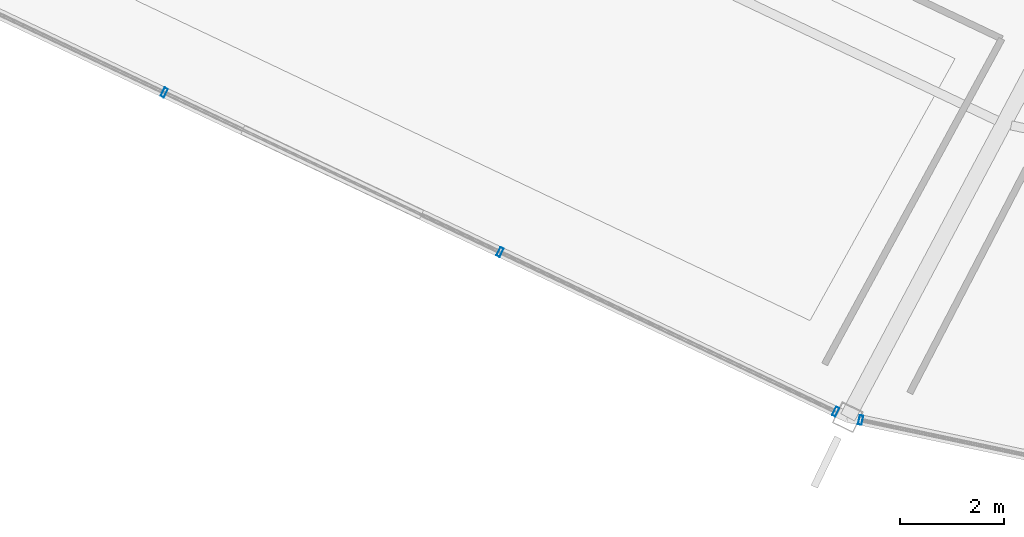
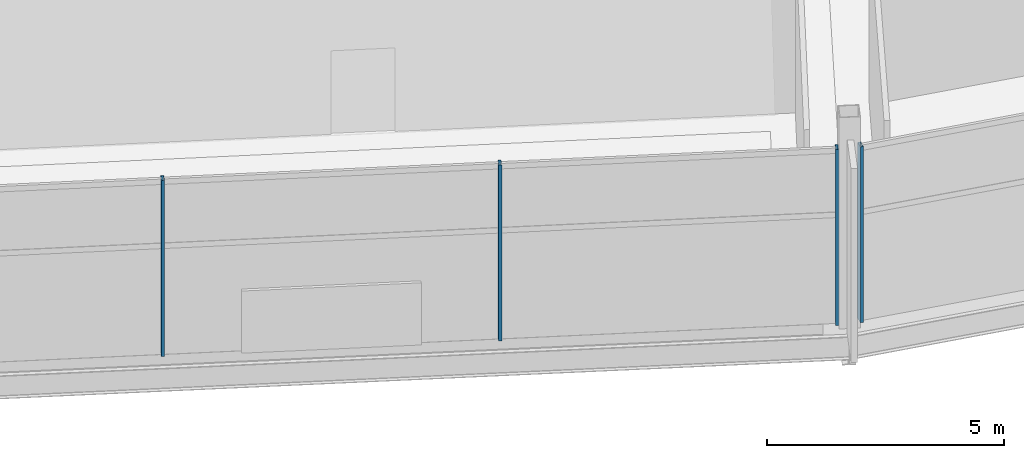
# One storey, part 16 of 186: 4 members, 2 elements without a shape of their own.
"""IFC4 building model written with IfcOpenShell, lengths in metres."""

from ifc_helpers import new_model, si_unit, direction, frame, origin, origin_2d, place, context, subcontext, project, spatial, hollow_rectangle, extrude, material, layer, layer_set, material_profile, profile_set, type_object, element, aggregate, save


model = new_model("IFC4")

# Units and contexts
model_context = context("Model", 3, precision=1e-05, world=origin(), true_north=direction((0.0, 1.0)))
body_context = subcontext(model_context, "Body", "Model", "MODEL_VIEW")
ifc_project = project(units=[si_unit("LENGTHUNIT", "METRE"), si_unit("AREAUNIT", "SQUARE_METRE"), si_unit("VOLUMEUNIT", "CUBIC_METRE"), si_unit("PLANEANGLEUNIT", "RADIAN"), si_unit("MASSUNIT", "GRAM", prefix="KILO")], contexts=[model_context])

# Site, building, storey
site_placement = place(None, origin())
site = spatial("IfcSite", under=ifc_project, at=site_placement, CompositionType="ELEMENT")
building_placement = place(site_placement, origin())
building = spatial("IfcBuilding", under=site, at=building_placement, Name="Kazemori Nagisa Stadium", CompositionType="ELEMENT")
storey_placement = place(building_placement, frame((0.0, 0.0, 20.39990234375)))
storey = spatial("IfcBuildingStorey", under=building, at=storey_placement, Name="L04", CompositionType="ELEMENT", Elevation=20.39990234375)

# Curtain wall, members
ifc_material_1 = material(Name="Anodised aluminium 6063-T5", Category="aluminium")
ifc_layer = layer(ifc_material_1, 0.179931640625, Name="Anodised aluminium 6063-T5", Category="aluminium")
ifc_layer_set = layer_set([ifc_layer], Name="Anodised aluminium 6063-T5")
curtain_wall_type = type_object("IfcCurtainWallType", Name="CW_L04R3_107", PredefinedType="USERDEFINED", material=ifc_layer_set)
curtain_wall_1_placement = place(storey_placement, origin())
curtain_wall_1 = element("IfcCurtainWall", 1, at=curtain_wall_1_placement, inside=storey, type_object=curtain_wall_type, Name="Unitised curtain wall CW-L04R3-107 L04", ObjectType="UNITISED CURTAIN WALL", PredefinedType="USERDEFINED")
ifc_material_2 = material(Name="Aluminium 6063-T5 anodised", Category="aluminium")
ifc_material_profile = material_profile(ifc_material_2, hollow_rectangle(XDim=0.070068359375, YDim=0.179931640625, WallThickness=0.00390625, at=origin_2d()), Name="ALU-MULL-70x180x4")
ifc_profile_set = profile_set([ifc_material_profile], Name="Aluminium 6063-T5 anodised")
member_type = type_object("IfcMemberType", Name="Mullion_M01", PredefinedType="MULLION", material=ifc_profile_set)
member_1_placement = place(storey_placement, frame((67.07666015625, 27.76953125, 0.0), z_axis=(0.0, 0.0, 1.0), x_axis=(0.903215892654, -0.429186499388, 0.0)))
member_1 = element("IfcMember", 2, at=member_1_placement, type_object=member_type, Name="Curtain wall mullion CW-L04R3-107-M2", PredefinedType="MULLION", context=body_context, shape_type="SweptSolid", body=[
    extrude(hollow_rectangle(XDim=0.070068359375, YDim=0.179931640625, WallThickness=0.00390625, at=origin_2d()), origin(), (0.0, 0.0, 1.0), 4.530029296875),
])
member_2_placement = place(storey_placement, frame((73.520751953125, 24.707275390625, 0.0), z_axis=(0.0, 0.0, 1.0), x_axis=(0.903215892654, -0.429186499388, 0.0)))
member_2 = element("IfcMember", 3, at=member_2_placement, type_object=member_type, Name="Curtain wall mullion CW-L04R3-107-M3", PredefinedType="MULLION", context=body_context, shape_type="SweptSolid", body=[
    extrude(hollow_rectangle(XDim=0.070068359375, YDim=0.179931640625, WallThickness=0.00390625, at=origin_2d()), origin(), (0.0, 0.0, 1.0), 4.530029296875),
])
member_3_placement = place(storey_placement, frame((79.96484375, 21.645263671875, 0.0), z_axis=(0.0, 0.0, 1.0), x_axis=(0.903215892654, -0.429186499388, 0.0)))
member_3 = element("IfcMember", 4, at=member_3_placement, type_object=member_type, Name="Curtain wall mullion CW-L04R3-107-M4", PredefinedType="MULLION", context=body_context, shape_type="SweptSolid", body=[
    extrude(hollow_rectangle(XDim=0.070068359375, YDim=0.179931640625, WallThickness=0.00390625, at=origin_2d()), origin(), (0.0, 0.0, 1.0), 4.530029296875),
])
aggregate(curtain_wall_1, [member_1, member_2, member_3])

# Curtain wall, member
curtain_wall_2_placement = place(storey_placement, origin())
curtain_wall_2 = element("IfcCurtainWall", 5, at=curtain_wall_2_placement, inside=storey, type_object=curtain_wall_type, Name="Unitised curtain wall CW-L04R3-107 L04", ObjectType="UNITISED CURTAIN WALL", PredefinedType="USERDEFINED")
member_4_placement = place(storey_placement, frame((80.44482421875, 21.48291015625, 0.0), z_axis=(0.0, 0.0, 1.0), x_axis=(0.978344955407, -0.206981033502, 0.0)))
member_4 = element("IfcMember", 6, at=member_4_placement, type_object=member_type, Name="Curtain wall mullion CW-L04R3-107-M1", PredefinedType="MULLION", context=body_context, shape_type="SweptSolid", body=[
    extrude(hollow_rectangle(XDim=0.070068359375, YDim=0.179931640625, WallThickness=0.00390625, at=origin_2d()), origin(), (0.0, 0.0, 1.0), 4.530029296875),
])
aggregate(curtain_wall_2, [member_4])

save(model, "model.ifc")
